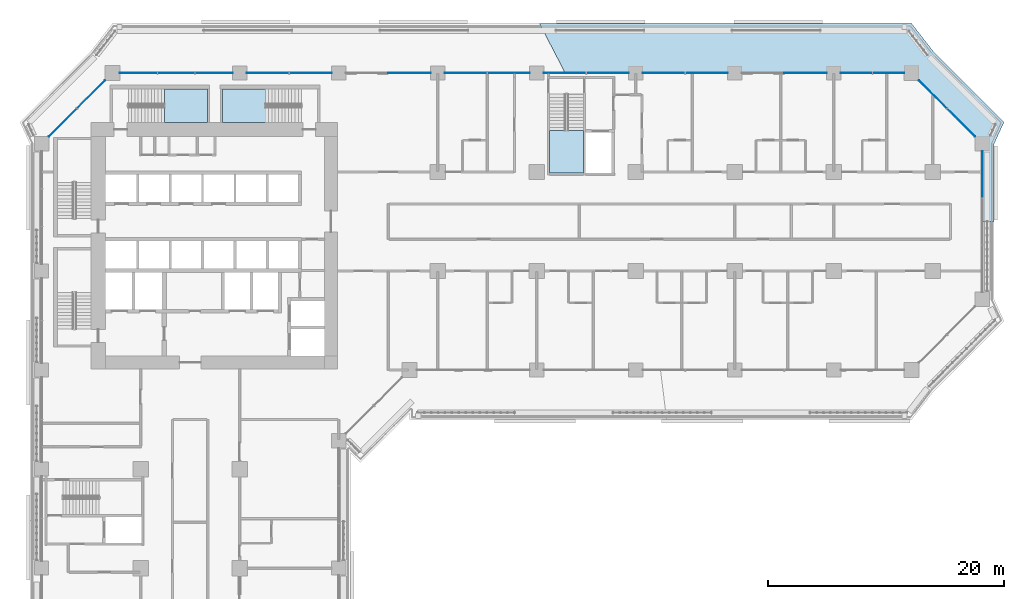
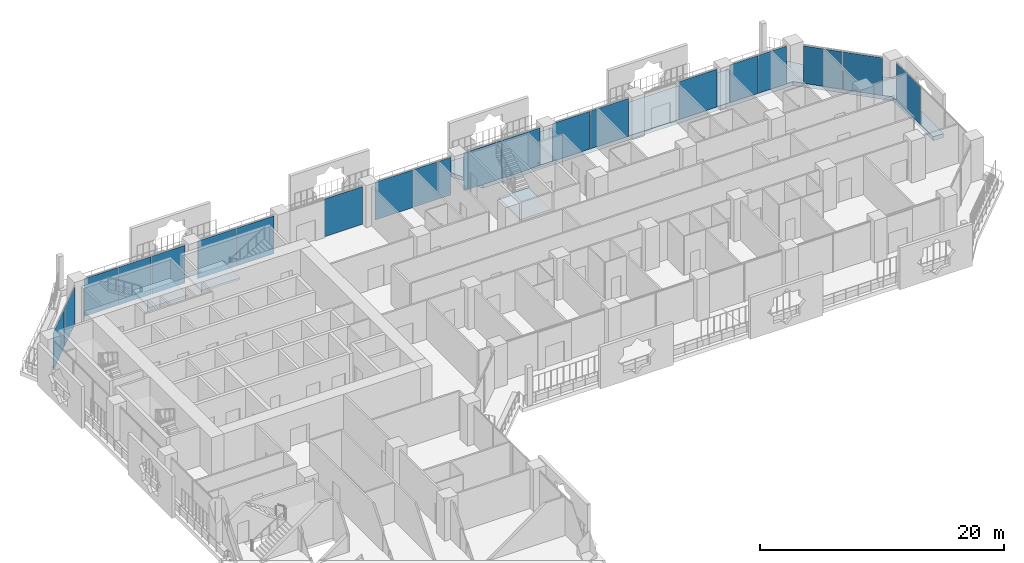
# One storey, part 12 of 28: 20 plates, 4 slabs, 7 elements without a shape of their own.
"""IFC4 building model written with IfcOpenShell, lengths in metres."""

from ifc_helpers import new_model, si_unit, direction, frame, origin, origin_2d, place, context, subcontext, project, spatial, polyline, rectangle, outline, extrude, material, layer, layer_set, type_object, element, aggregate, save


model = new_model("IFC4")

# Units and contexts
model_context = context("Model", 3, precision=1e-05, world=origin(), true_north=direction((0.0, 1.0)))
body_context = subcontext(model_context, "Body", "Model", "MODEL_VIEW")
ifc_project = project(units=[si_unit("LENGTHUNIT", "METRE"), si_unit("AREAUNIT", "SQUARE_METRE"), si_unit("VOLUMEUNIT", "CUBIC_METRE"), si_unit("PLANEANGLEUNIT", "RADIAN"), si_unit("MASSUNIT", "GRAM", prefix="KILO")], contexts=[model_context])

# Site, building, storey
site_placement = place(None, origin())
site = spatial("IfcSite", under=ifc_project, at=site_placement, CompositionType="ELEMENT")
building_placement = place(site_placement, origin())
building = spatial("IfcBuilding", under=site, at=building_placement, Name="Kawkab Arch Medical Tower", CompositionType="ELEMENT")
storey_placement = place(building_placement, frame((0.0, 0.0, 56.0)))
storey = spatial("IfcBuildingStorey", under=building, at=storey_placement, Name="L12", CompositionType="ELEMENT", Elevation=56.0)

# Curtain wall, plate
ifc_material_1 = material(Name="Bronze anodised aluminium curtain wall frame", Category="aluminium")
ifc_layer_1 = layer(ifc_material_1, 0.159912109375)
ifc_layer_set_1 = layer_set([ifc_layer_1], Name="Bronze anodised aluminium curtain wall frame")
curtain_wall_type_1 = type_object("IfcCurtainWallType", Name="CW1 ward curtain wall", PredefinedType="NOTDEFINED", material=ifc_layer_set_1)
placement_1 = place(storey_placement, origin())
curtain_wall_1 = element("IfcCurtainWall", 1, at=placement_1, inside=storey, type_object=curtain_wall_type_1, Name="CW1 Ward curtain wall R09", PredefinedType="NOTDEFINED")
ifc_material_2 = material(Name="Tinted insulating glass, bronze low-e coating", Category="glass")
ifc_layer_2 = layer(ifc_material_2, 0.031982421875)
ifc_layer_set_2 = layer_set([ifc_layer_2], Name="Tinted insulating glass, bronze low-e coating")
plate_type_1 = type_object("IfcPlateType", Name="CW1 glazing unit 32", PredefinedType="CURTAIN_PANEL", material=ifc_layer_set_2)
plate_1_placement = place(storey_placement, frame((79.800048828125, -8.6015625, 0.0), z_axis=(0.0, 0.0, 1.0), x_axis=(0.0, 1.0, 0.0)))
plate_1 = element("IfcPlate", 2, at=plate_1_placement, type_object=plate_type_1, Name="CW1 glazing unit 1.3", PredefinedType="CURTAIN_PANEL", context=body_context, shape_type="SweptSolid", body=[
    extrude(rectangle(XDim=3.953369140625, YDim=0.031982421875, at=origin_2d()), origin(), (0.0, 0.0, 1.0), 3.780029296875),
])
aggregate(curtain_wall_1, [plate_1])

# Curtain wall, plates
curtain_wall_2 = element("IfcCurtainWall", 3, at=placement_1, inside=storey, type_object=curtain_wall_type_1, Name="CW1 Ward curtain wall R11", PredefinedType="NOTDEFINED")
plate_2_placement = place(storey_placement, frame((71.84619140625, 0.0, 0.0), z_axis=(0.0, 0.0, 1.0), x_axis=(-1.0, 0.0, 0.0)))
plate_2 = element("IfcPlate", 4, at=plate_2_placement, type_object=plate_type_1, Name="CW1 glazing unit 1.1", PredefinedType="CURTAIN_PANEL", context=body_context, shape_type="SweptSolid", body=[
    extrude(rectangle(XDim=2.657470703125, YDim=0.031982421875, at=origin_2d()), origin(), (0.0, 0.0, 1.0), 3.780029296875),
])
plate_3_placement = place(storey_placement, frame((69.128662109375, 0.0, 0.0), z_axis=(0.0, 0.0, 1.0), x_axis=(-1.0, 0.0, 0.0)))
plate_3 = element("IfcPlate", 5, at=plate_3_placement, type_object=plate_type_1, Name="CW1 glazing unit 1.2", PredefinedType="CURTAIN_PANEL", context=body_context, shape_type="SweptSolid", body=[
    extrude(rectangle(XDim=2.657470703125, YDim=0.031982421875, at=origin_2d()), origin(), (0.0, 0.0, 1.0), 3.780029296875),
])
plate_4_placement = place(storey_placement, frame((64.800048828125, 0.0, 0.0), z_axis=(0.0, 0.0, 1.0), x_axis=(-1.0, 0.0, 0.0)))
plate_4 = element("IfcPlate", 6, at=plate_4_placement, type_object=plate_type_1, Name="CW1 glazing unit 2.1", PredefinedType="CURTAIN_PANEL", context=body_context, shape_type="SweptSolid", body=[
    extrude(rectangle(XDim=3.60009765625, YDim=0.031982421875, at=origin_2d()), origin(), (0.0, 0.0, 1.0), 3.780029296875),
])
plate_5_placement = place(storey_placement, frame((56.4150390625, 0.0, 0.0), z_axis=(0.0, 0.0, 1.0), x_axis=(-1.0, 0.0, 0.0)))
plate_5 = element("IfcPlate", 7, at=plate_5_placement, type_object=plate_type_1, Name="CW1 glazing unit 3.1", PredefinedType="CURTAIN_PANEL", context=body_context, shape_type="SweptSolid", body=[
    extrude(rectangle(XDim=3.570068359375, YDim=0.031982421875, at=origin_2d()), origin(), (0.0, 0.0, 1.0), 3.780029296875),
])
plate_6_placement = place(storey_placement, frame((52.784912109375, 0.0, 0.0), z_axis=(0.0, 0.0, 1.0), x_axis=(-1.0, 0.0, 0.0)))
plate_6 = element("IfcPlate", 8, at=plate_6_placement, type_object=plate_type_1, Name="CW1 glazing unit 3.2", PredefinedType="CURTAIN_PANEL", context=body_context, shape_type="SweptSolid", body=[
    extrude(rectangle(XDim=3.570068359375, YDim=0.031982421875, at=origin_2d()), origin(), (0.0, 0.0, 1.0), 3.780029296875),
])
plate_7_placement = place(storey_placement, frame((48.014892578125, 0.0, 0.0), z_axis=(0.0, 0.0, 1.0), x_axis=(-1.0, 0.0, 0.0)))
plate_7 = element("IfcPlate", 9, at=plate_7_placement, type_object=plate_type_1, Name="CW1 glazing unit 4.1", PredefinedType="CURTAIN_PANEL", context=body_context, shape_type="SweptSolid", body=[
    extrude(rectangle(XDim=3.570068359375, YDim=0.031982421875, at=origin_2d()), origin(), (0.0, 0.0, 1.0), 3.780029296875),
])
plate_8_placement = place(storey_placement, frame((44.385009765625, 0.0, 0.0), z_axis=(0.0, 0.0, 1.0), x_axis=(-1.0, 0.0, 0.0)))
plate_8 = element("IfcPlate", 10, at=plate_8_placement, type_object=plate_type_1, Name="CW1 glazing unit 4.2", PredefinedType="CURTAIN_PANEL", context=body_context, shape_type="SweptSolid", body=[
    extrude(rectangle(XDim=3.570068359375, YDim=0.031982421875, at=origin_2d()), origin(), (0.0, 0.0, 1.0), 3.780029296875),
])
plate_9_placement = place(storey_placement, frame((39.614990234375, 0.0, 0.0), z_axis=(0.0, 0.0, 1.0), x_axis=(-1.0, 0.0, 0.0)))
plate_9 = element("IfcPlate", 11, at=plate_9_placement, type_object=plate_type_1, Name="CW1 glazing unit 5.1", PredefinedType="CURTAIN_PANEL", context=body_context, shape_type="SweptSolid", body=[
    extrude(rectangle(XDim=3.570068359375, YDim=0.031982421875, at=origin_2d()), origin(), (0.0, 0.0, 1.0), 3.780029296875),
])
plate_10_placement = place(storey_placement, frame((35.985107421875, 0.0, 0.0), z_axis=(0.0, 0.0, 1.0), x_axis=(-1.0, 0.0, 0.0)))
plate_10 = element("IfcPlate", 12, at=plate_10_placement, type_object=plate_type_1, Name="CW1 glazing unit 5.2", PredefinedType="CURTAIN_PANEL", context=body_context, shape_type="SweptSolid", body=[
    extrude(rectangle(XDim=3.570068359375, YDim=0.031982421875, at=origin_2d()), origin(), (0.0, 0.0, 1.0), 3.780029296875),
])
plate_11_placement = place(storey_placement, frame((31.199951171875, 0.0, 0.0), z_axis=(0.0, 0.0, 1.0), x_axis=(-1.0, 0.0, 0.0)))
plate_11 = element("IfcPlate", 13, at=plate_11_placement, type_object=plate_type_1, Name="CW1 glazing unit 6.1", PredefinedType="CURTAIN_PANEL", context=body_context, shape_type="SweptSolid", body=[
    extrude(rectangle(XDim=3.60009765625, YDim=0.031982421875, at=origin_2d()), origin(), (0.0, 0.0, 1.0), 3.780029296875),
])
plate_12_placement = place(storey_placement, frame((22.81494140625, 0.0, 0.0), z_axis=(0.0, 0.0, 1.0), x_axis=(-1.0, 0.0, 0.0)))
plate_12 = element("IfcPlate", 14, at=plate_12_placement, type_object=plate_type_1, Name="CW1 glazing unit 7.1", PredefinedType="CURTAIN_PANEL", context=body_context, shape_type="SweptSolid", body=[
    extrude(rectangle(XDim=3.570068359375, YDim=0.031982421875, at=origin_2d()), origin(), (0.0, 0.0, 1.0), 3.780029296875),
])
plate_13_placement = place(storey_placement, frame((19.18505859375, 0.0, 0.0), z_axis=(0.0, 0.0, 1.0), x_axis=(-1.0, 0.0, 0.0)))
plate_13 = element("IfcPlate", 15, at=plate_13_placement, type_object=plate_type_1, Name="CW1 glazing unit 7.2", PredefinedType="CURTAIN_PANEL", context=body_context, shape_type="SweptSolid", body=[
    extrude(rectangle(XDim=3.570068359375, YDim=0.031982421875, at=origin_2d()), origin(), (0.0, 0.0, 1.0), 3.780029296875),
])
plate_14_placement = place(storey_placement, frame((14.619140625, 0.0, 0.0), z_axis=(0.0, 0.0, 1.0), x_axis=(-1.0, 0.0, 0.0)))
plate_14 = element("IfcPlate", 16, at=plate_14_placement, type_object=plate_type_1, Name="CW1 glazing unit 8.1", PredefinedType="CURTAIN_PANEL", context=body_context, shape_type="SweptSolid", body=[
    extrude(rectangle(XDim=3.16162109375, YDim=0.031982421875, at=origin_2d()), origin(), (0.0, 0.0, 1.0), 3.780029296875),
])
plate_15_placement = place(storey_placement, frame((11.41259765625, 0.0, 0.0), z_axis=(0.0, 0.0, 1.0), x_axis=(-1.0, 0.0, 0.0)))
plate_15 = element("IfcPlate", 17, at=plate_15_placement, type_object=plate_type_1, Name="CW1 glazing unit 8.2", PredefinedType="CURTAIN_PANEL", context=body_context, shape_type="SweptSolid", body=[
    extrude(rectangle(XDim=3.131591796875, YDim=0.031982421875, at=origin_2d()), origin(), (0.0, 0.0, 1.0), 3.780029296875),
])
plate_16_placement = place(storey_placement, frame((8.205810546875, 0.0, 0.0), z_axis=(0.0, 0.0, 1.0), x_axis=(-1.0, 0.0, 0.0)))
plate_16 = element("IfcPlate", 18, at=plate_16_placement, type_object=plate_type_1, Name="CW1 glazing unit 8.3", PredefinedType="CURTAIN_PANEL", context=body_context, shape_type="SweptSolid", body=[
    extrude(rectangle(XDim=3.16162109375, YDim=0.031982421875, at=origin_2d()), origin(), (0.0, 0.0, 1.0), 3.780029296875),
])
aggregate(curtain_wall_2, [plate_2, plate_3, plate_4, plate_5, plate_6, plate_7, plate_8, plate_9, plate_10, plate_11, plate_12, plate_13, plate_14, plate_15, plate_16])

ifc_material_3 = material(Name="Bronze anodised aluminium curtain wall frame", Category="aluminium")
ifc_layer_3 = layer(ifc_material_3, 0.159912109375)
ifc_layer_set_3 = layer_set([ifc_layer_3], Name="Bronze anodised aluminium curtain wall frame")
curtain_wall_type_2 = type_object("IfcCurtainWallType", Name="CW2 chamfer curtain wall", PredefinedType="NOTDEFINED", material=ifc_layer_set_3)
curtain_wall_3 = element("IfcCurtainWall", 19, at=placement_1, inside=storey, type_object=curtain_wall_type_2, Name="CW2 Chamfer curtain wall R10", PredefinedType="NOTDEFINED")
ifc_material_4 = material(Name="Tinted insulating glass, bronze low-e coating", Category="glass")
ifc_layer_4 = layer(ifc_material_4, 0.031982421875)
ifc_layer_set_4 = layer_set([ifc_layer_4], Name="Tinted insulating glass, bronze low-e coating")
plate_type_2 = type_object("IfcPlateType", Name="CW2 glazing unit 32", PredefinedType="CURTAIN_PANEL", material=ifc_layer_set_4)
plate_17_placement = place(storey_placement, frame((77.998046875, -4.197998046875, 0.0), z_axis=(0.0, 0.0, 1.0), x_axis=(-0.707106781187, 0.707106781187, 0.0)))
plate_17 = element("IfcPlate", 20, at=plate_17_placement, type_object=plate_type_2, Name="CW2 glazing unit 1.1", PredefinedType="CURTAIN_PANEL", context=body_context, shape_type="SweptSolid", body=[
    extrude(rectangle(XDim=3.328857421875, YDim=0.031982421875, at=origin_2d()), origin(), (0.0, 0.0, 1.0), 3.760009765625),
])
plate_18_placement = place(storey_placement, frame((75.601806640625, -1.802001953125, 0.0), z_axis=(0.0, 0.0, 1.0), x_axis=(-0.707106781187, 0.707106781187, 0.0)))
plate_18 = element("IfcPlate", 21, at=plate_18_placement, type_object=plate_type_2, Name="CW2 glazing unit 1.2", PredefinedType="CURTAIN_PANEL", context=body_context, shape_type="SweptSolid", body=[
    extrude(rectangle(XDim=3.328857421875, YDim=0.031982421875, at=origin_2d()), origin(), (0.0, 0.0, 1.0), 3.760009765625),
])
aggregate(curtain_wall_3, [plate_17, plate_18])

curtain_wall_4 = element("IfcCurtainWall", 22, at=placement_1, inside=storey, type_object=curtain_wall_type_2, Name="CW2 Chamfer curtain wall R12", PredefinedType="NOTDEFINED")
plate_19_placement = place(storey_placement, frame((4.197998046875, -1.802001953125, 0.0), z_axis=(0.0, 0.0, 1.0), x_axis=(-0.707106781187, -0.707106781187, 0.0)))
plate_19 = element("IfcPlate", 23, at=plate_19_placement, type_object=plate_type_2, Name="CW2 glazing unit 1.1", PredefinedType="CURTAIN_PANEL", context=body_context, shape_type="SweptSolid", body=[
    extrude(rectangle(XDim=3.328857421875, YDim=0.031982421875, at=origin_2d()), origin(), (0.0, 0.0, 1.0), 3.760009765625),
])
plate_20_placement = place(storey_placement, frame((1.802001953125, -4.197998046875, 0.0), z_axis=(0.0, 0.0, 1.0), x_axis=(-0.707106781187, -0.707106781187, 0.0)))
plate_20 = element("IfcPlate", 24, at=plate_20_placement, type_object=plate_type_2, Name="CW2 glazing unit 1.2", PredefinedType="CURTAIN_PANEL", context=body_context, shape_type="SweptSolid", body=[
    extrude(rectangle(XDim=3.328857421875, YDim=0.031982421875, at=origin_2d()), origin(), (0.0, 0.0, 1.0), 3.760009765625),
])
aggregate(curtain_wall_4, [plate_19, plate_20])

# Stair, slab
ifc_material_5 = material(Name="Concrete C40/50", Category="concrete")
stair_type = type_object("IfcStairType", Name="Exit stair 1350", PredefinedType="HALF_TURN_STAIR", material=ifc_material_5)
stair_1 = element("IfcStair", 25, at=placement_1, inside=storey, type_object=stair_type, Name="L12 Exit stair ST3", PredefinedType="HALF_TURN_STAIR")
ifc_material_6 = material(Name="Concrete C40/50", Category="concrete")
ifc_layer_5 = layer(ifc_material_6, 0.199951171875)
ifc_layer_set_5 = layer_set([ifc_layer_5], Name="Concrete C40/50")
slab_type_1 = type_object("IfcSlabType", Name="Exit stair landing 200", PredefinedType="LANDING", material=ifc_layer_set_5)
placement_2 = place(storey_placement, frame((0.0, 0.0, 1.89990234375)))
slab_1 = element("IfcSlab", 26, at=placement_2, type_object=slab_type_1, Name="ST3 landing 1", PredefinedType="LANDING", context=body_context, shape_type="SweptSolid", body=[
    extrude(outline(polyline([(10.429931640625, -4.199951171875), (14.050048828125, -4.199951171875), (14.050048828125, -1.35009765625), (10.429931640625, -1.35009765625), (10.429931640625, -4.199951171875)])), origin(), (0.0, 0.0, 1.0), 0.2001953125),
])
aggregate(stair_1, [slab_1])

stair_2 = element("IfcStair", 27, at=placement_1, inside=storey, type_object=stair_type, Name="L12 Exit stair ST4", PredefinedType="HALF_TURN_STAIR")
slab_2 = element("IfcSlab", 28, at=placement_2, type_object=slab_type_1, Name="ST4 landing 1", PredefinedType="LANDING", context=body_context, shape_type="SweptSolid", body=[
    extrude(outline(polyline([(18.969970703125, -1.35009765625), (15.35009765625, -1.35009765625), (15.35009765625, -4.199951171875), (18.969970703125, -4.199951171875), (18.969970703125, -1.35009765625)])), origin(), (0.0, 0.0, 1.0), 0.2001953125),
])
aggregate(stair_2, [slab_2])

stair_3 = element("IfcStair", 29, at=placement_1, inside=storey, type_object=stair_type, Name="L12 Exit stair ST5", PredefinedType="HALF_TURN_STAIR")
slab_3 = element("IfcSlab", 30, at=placement_2, type_object=slab_type_1, Name="ST5 landing 1", PredefinedType="LANDING", context=body_context, shape_type="SweptSolid", body=[
    extrude(outline(polyline([(43.10009765625, -4.8798828125), (43.10009765625, -8.5), (45.949951171875, -8.5), (45.949951171875, -4.8798828125), (43.10009765625, -4.8798828125)])), origin(), (0.0, 0.0, 1.0), 0.2001953125),
])
aggregate(stair_3, [slab_3])

# Slab
ifc_material_7 = material(Name="Concrete C40/50", Category="concrete")
ifc_layer_6 = layer(ifc_material_7, 0.39990234375)
ifc_layer_set_6 = layer_set([ifc_layer_6], Name="Concrete C40/50")
slab_type_2 = type_object("IfcSlabType", Name="Loggia slab 400", PredefinedType="FLOOR", material=ifc_layer_set_6)
slab_4_placement = place(storey_placement, frame((0.0, 0.0, -0.39990234375)))
element("IfcSlab", 31, at=slab_4_placement, inside=storey, type_object=slab_type_2, Name="Loggia slab L12.6", PredefinedType="FLOOR", context=body_context, shape_type="SweptSolid", body=[
    extrude(outline(polyline([(75.637939453125, 1.837890625), (81.637939453125, -4.162109375), (80.800048828125, -6.0), (80.800048828125, -12.60009765625), (79.800048828125, -12.60009765625), (79.800048828125, -6.0), (73.800048828125, 0.0), (73.800048828125, 0.0009765625), (44.410888671875, 0.0009765625), (42.23388671875, 4.199951171875), (73.800048828125, 4.199951171875), (75.637939453125, 1.837890625)])), origin(), (0.0, 0.0, 1.0), 0.39990234375),
])

save(model, "model.ifc")
